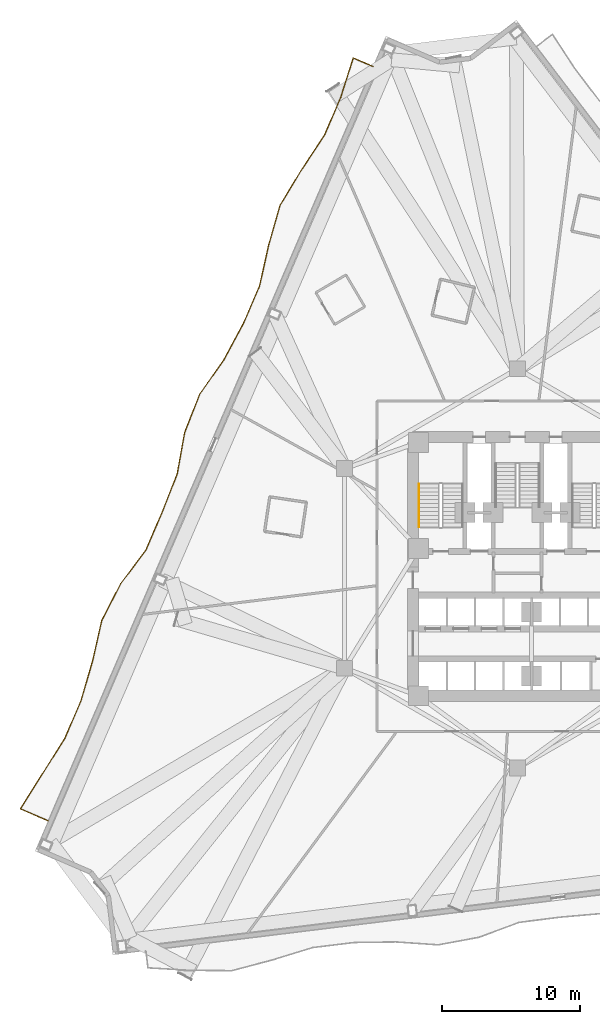
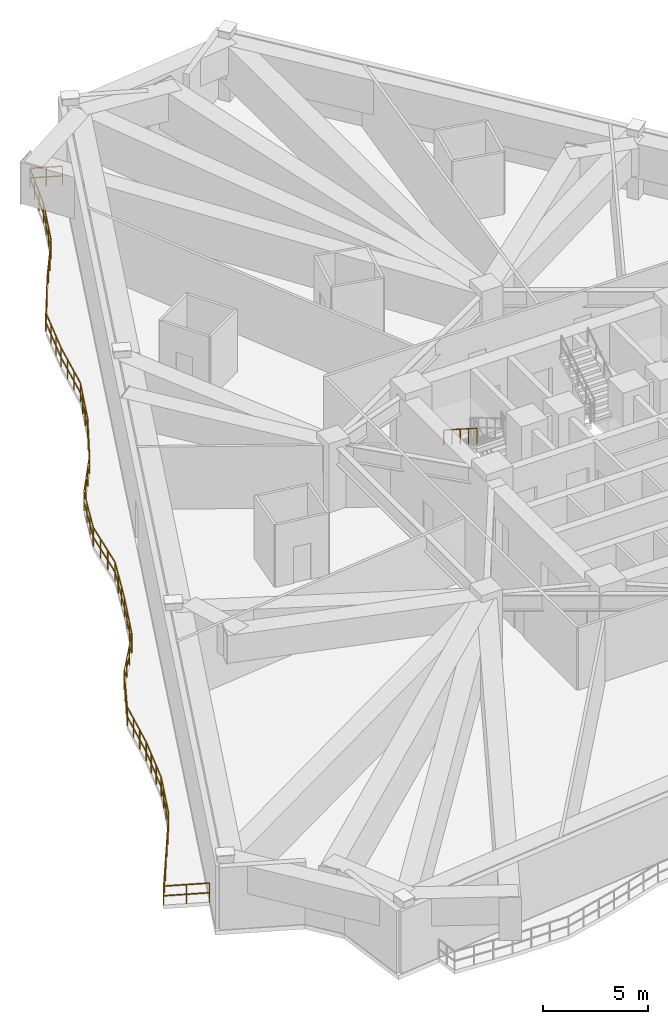
# One storey, part 12 of 14: 2 railings.
"""IFC4 building model written with IfcOpenShell, lengths in metres."""

from ifc_helpers import new_model, si_unit, direction, frame, origin, origin_2d, place, context, subcontext, project, spatial, rectangle, extrude, material, type_object, element, save


model = new_model("IFC4")

# Units and contexts
model_context = context("Model", 3, precision=1e-05, world=origin(), true_north=direction((0.0, 1.0)))
body_context = subcontext(model_context, "Body", "Model", "MODEL_VIEW")
ifc_project = project(units=[si_unit("LENGTHUNIT", "METRE"), si_unit("AREAUNIT", "SQUARE_METRE"), si_unit("VOLUMEUNIT", "CUBIC_METRE"), si_unit("PLANEANGLEUNIT", "RADIAN"), si_unit("MASSUNIT", "GRAM", prefix="KILO")], contexts=[model_context])

# Site, building, storey
site_placement = place(None, origin())
site = spatial("IfcSite", under=ifc_project, at=site_placement, CompositionType="ELEMENT")
building_placement = place(site_placement, origin())
building = spatial("IfcBuilding", under=site, at=building_placement, Name="Apsidion Concourse Tower", CompositionType="ELEMENT")
storey_placement = place(building_placement, frame((0.0, 0.0, 91.0)))
storey = spatial("IfcBuildingStorey", under=building, at=storey_placement, Name="L20", CompositionType="ELEMENT", Elevation=91.0)

# Railings
ifc_material = material(Name="Brushed stainless steel 316", Category="steel")
railing_type_1 = type_object("IfcRailingType", Name="RL-BAL-1120", PredefinedType="BALUSTRADE", material=ifc_material)
railing_1_placement = place(storey_placement, frame((-34.10107421875, -18.32958984375, 0.0)))
element("IfcRailing", 1, at=railing_1_placement, inside=storey, type_object=railing_type_1, Name="L20 Face 1 Rippling Balcony Balustrade", PredefinedType="BALUSTRADE", context=body_context, shape_type="SweptSolid", body=[
    extrude(rectangle(XDim=0.048095703125, YDim=0.048095703125, at=origin_2d()), frame((0.0, 0.0, 1.09619140625), z_axis=(-0.918533861173, 0.395342314809, 0.0), x_axis=(-0.395342314809, -0.918533861173, 0.0)), (0.0, 0.0, 1.0), 2.194091796875),
    extrude(rectangle(XDim=0.048095703125, YDim=0.048095703125, at=origin_2d()), frame((0.0, 0.0, 0.5361328125), z_axis=(-0.918533861173, 0.395342314809, 0.0), x_axis=(-0.395342314809, -0.918533861173, 0.0)), (0.0, 0.0, 1.0), 2.194091796875),
    extrude(rectangle(XDim=0.048095703125, YDim=0.048095703125, at=origin_2d()), frame((-2.015380859375, 0.867431640625, 1.09619140625), z_axis=(0.534619328688, 0.84509299689, 0.0), x_axis=(-0.84509299689, 0.534619328688, 0.0)), (0.0, 0.0, 1.0), 3.020263671875),
    extrude(rectangle(XDim=0.048095703125, YDim=0.048095703125, at=origin_2d()), frame((-2.015380859375, 0.867431640625, 0.5361328125), z_axis=(0.534619328688, 0.84509299689, 0.0), x_axis=(-0.84509299689, 0.534619328688, 0.0)), (0.0, 0.0, 1.0), 3.020263671875),
    extrude(rectangle(XDim=0.048095703125, YDim=0.048095703125, at=origin_2d()), frame((-0.400634765625, 3.419921875, 1.09619140625), z_axis=(0.53364924149, 0.845705910502, 0.0), x_axis=(-0.845705910502, 0.53364924149, 0.0)), (0.0, 0.0, 1.0), 3.02001953125),
    extrude(rectangle(XDim=0.048095703125, YDim=0.048095703125, at=origin_2d()), frame((-0.400634765625, 3.419921875, 0.5361328125), z_axis=(0.53364924149, 0.845705910502, 0.0), x_axis=(-0.845705910502, 0.53364924149, 0.0)), (0.0, 0.0, 1.0), 3.02001953125),
    extrude(rectangle(XDim=0.048095703125, YDim=0.048095703125, at=origin_2d()), frame((1.2109375, 5.973876953125, 1.09619140625), z_axis=(0.395410399338, 0.918504554205, 0.0), x_axis=(-0.918504554205, 0.395410399338, 0.0)), (0.0, 0.0, 1.0), 2.98291015625),
    extrude(rectangle(XDim=0.048095703125, YDim=0.048095703125, at=origin_2d()), frame((1.2109375, 5.973876953125, 0.5361328125), z_axis=(0.395410399338, 0.918504554205, 0.0), x_axis=(-0.918504554205, 0.395410399338, 0.0)), (0.0, 0.0, 1.0), 2.98291015625),
    extrude(rectangle(XDim=0.048095703125, YDim=0.048095703125, at=origin_2d()), frame((2.390380859375, 8.713623046875, 1.09619140625), z_axis=(0.279491563876, 0.960148147799, 0.0), x_axis=(-0.960148147799, 0.279491563876, 0.0)), (0.0, 0.0, 1.0), 3.005859375),
    extrude(rectangle(XDim=0.048095703125, YDim=0.048095703125, at=origin_2d()), frame((2.390380859375, 8.713623046875, 0.5361328125), z_axis=(0.279491563876, 0.960148147799, 0.0), x_axis=(-0.960148147799, 0.279491563876, 0.0)), (0.0, 0.0, 1.0), 3.005859375),
    extrude(rectangle(XDim=0.048095703125, YDim=0.048095703125, at=origin_2d()), frame((3.23046875, 11.599609375, 1.09619140625), z_axis=(0.221384575594, 0.975186581988, 0.0), x_axis=(-0.975186581988, 0.221384575594, 0.0)), (0.0, 0.0, 1.0), 3.03369140625),
    extrude(rectangle(XDim=0.048095703125, YDim=0.048095703125, at=origin_2d()), frame((3.23046875, 11.599609375, 0.5361328125), z_axis=(0.221384575594, 0.975186581988, 0.0), x_axis=(-0.975186581988, 0.221384575594, 0.0)), (0.0, 0.0, 1.0), 3.03369140625),
    extrude(rectangle(XDim=0.048095703125, YDim=0.048095703125, at=origin_2d()), frame((3.902099609375, 14.55810546875, 1.09619140625), z_axis=(0.458316345282, 0.888789135649, 0.0), x_axis=(-0.888789135649, 0.458316345282, 0.0)), (0.0, 0.0, 1.0), 2.989990234375),
    extrude(rectangle(XDim=0.048095703125, YDim=0.048095703125, at=origin_2d()), frame((3.902099609375, 14.55810546875, 0.5361328125), z_axis=(0.458316345282, 0.888789135649, 0.0), x_axis=(-0.888789135649, 0.458316345282, 0.0)), (0.0, 0.0, 1.0), 2.989990234375),
    extrude(rectangle(XDim=0.048095703125, YDim=0.048095703125, at=origin_2d()), frame((5.2724609375, 17.215576171875, 1.09619140625), z_axis=(0.598534495347, 0.801097033998, 0.0), x_axis=(-0.801097033998, 0.598534495347, 0.0)), (0.0, 0.0, 1.0), 3.0673828125),
    extrude(rectangle(XDim=0.048095703125, YDim=0.048095703125, at=origin_2d()), frame((5.2724609375, 17.215576171875, 0.5361328125), z_axis=(0.598534495347, 0.801097033998, 0.0), x_axis=(-0.801097033998, 0.598534495347, 0.0)), (0.0, 0.0, 1.0), 3.0673828125),
    extrude(rectangle(XDim=0.048095703125, YDim=0.048095703125, at=origin_2d()), frame((7.1083984375, 19.6728515625, 1.09619140625), z_axis=(0.395410399338, 0.918504554205, 0.0), x_axis=(-0.918504554205, 0.395410399338, 0.0)), (0.0, 0.0, 1.0), 2.98291015625),
    extrude(rectangle(XDim=0.048095703125, YDim=0.048095703125, at=origin_2d()), frame((7.1083984375, 19.6728515625, 0.5361328125), z_axis=(0.395410399338, 0.918504554205, 0.0), x_axis=(-0.918504554205, 0.395410399338, 0.0)), (0.0, 0.0, 1.0), 2.98291015625),
    extrude(rectangle(XDim=0.048095703125, YDim=0.048095703125, at=origin_2d()), frame((8.287841796875, 22.41259765625, 1.09619140625), z_axis=(0.36555873131, 0.930788275583, 0.0), x_axis=(-0.930788275583, 0.36555873131, 0.0)), (0.0, 0.0, 1.0), 2.984619140625),
    extrude(rectangle(XDim=0.048095703125, YDim=0.048095703125, at=origin_2d()), frame((8.287841796875, 22.41259765625, 0.5361328125), z_axis=(0.36555873131, 0.930788275583, 0.0), x_axis=(-0.930788275583, 0.36555873131, 0.0)), (0.0, 0.0, 1.0), 2.984619140625),
    extrude(rectangle(XDim=0.048095703125, YDim=0.048095703125, at=origin_2d()), frame((9.37890625, 25.190673828125, 1.09619140625), z_axis=(0.177299712812, 0.984156904074, 0.0), x_axis=(-0.984156904074, 0.177299712812, 0.0)), (0.0, 0.0, 1.0), 3.0625),
    extrude(rectangle(XDim=0.048095703125, YDim=0.048095703125, at=origin_2d()), frame((9.37890625, 25.190673828125, 0.5361328125), z_axis=(0.177299712812, 0.984156904074, 0.0), x_axis=(-0.984156904074, 0.177299712812, 0.0)), (0.0, 0.0, 1.0), 3.0625),
    extrude(rectangle(XDim=0.048095703125, YDim=0.048095703125, at=origin_2d()), frame((9.921875, 28.20458984375, 1.09619140625), z_axis=(0.365925711788, 0.930644063782, 0.0), x_axis=(-0.930644063782, 0.365925711788, 0.0)), (0.0, 0.0, 1.0), 2.984375),
    extrude(rectangle(XDim=0.048095703125, YDim=0.048095703125, at=origin_2d()), frame((9.921875, 28.20458984375, 0.5361328125), z_axis=(0.365925711788, 0.930644063782, 0.0), x_axis=(-0.930644063782, 0.365925711788, 0.0)), (0.0, 0.0, 1.0), 2.984375),
    extrude(rectangle(XDim=0.048095703125, YDim=0.048095703125, at=origin_2d()), frame((11.013916015625, 30.98193359375, 1.09619140625), z_axis=(0.573876412975, 0.818941916519, 0.0), x_axis=(-0.818941916519, 0.573876412975, 0.0)), (0.0, 0.0, 1.0), 3.04638671875),
    extrude(rectangle(XDim=0.048095703125, YDim=0.048095703125, at=origin_2d()), frame((11.013916015625, 30.98193359375, 0.5361328125), z_axis=(0.573876412975, 0.818941916519, 0.0), x_axis=(-0.818941916519, 0.573876412975, 0.0)), (0.0, 0.0, 1.0), 3.04638671875),
    extrude(rectangle(XDim=0.048095703125, YDim=0.048095703125, at=origin_2d()), frame((12.76220703125, 33.476806640625, 1.09619140625), z_axis=(0.475198145965, 0.879878811014, 0.0), x_axis=(-0.879878811014, 0.475198145965, 0.0)), (0.0, 0.0, 1.0), 2.99462890625),
    extrude(rectangle(XDim=0.048095703125, YDim=0.048095703125, at=origin_2d()), frame((12.76220703125, 33.476806640625, 0.5361328125), z_axis=(0.475198145965, 0.879878811014, 0.0), x_axis=(-0.879878811014, 0.475198145965, 0.0)), (0.0, 0.0, 1.0), 2.99462890625),
    extrude(rectangle(XDim=0.048095703125, YDim=0.048095703125, at=origin_2d()), frame((14.185302734375, 36.11181640625, 1.09619140625), z_axis=(0.395449720063, 0.918487625884, 0.0), x_axis=(-0.918487625884, 0.395449720063, 0.0)), (0.0, 0.0, 1.0), 2.983154296875),
    extrude(rectangle(XDim=0.048095703125, YDim=0.048095703125, at=origin_2d()), frame((14.185302734375, 36.11181640625, 0.5361328125), z_axis=(0.395449720063, 0.918487625884, 0.0), x_axis=(-0.918487625884, 0.395449720063, 0.0)), (0.0, 0.0, 1.0), 2.983154296875),
    extrude(rectangle(XDim=0.048095703125, YDim=0.048095703125, at=origin_2d()), frame((15.364990234375, 38.851806640625, 1.09619140625), z_axis=(0.216360044124, 0.976313643921, 0.0), x_axis=(-0.976313643921, 0.216360044124, 0.0)), (0.0, 0.0, 1.0), 3.03662109375),
    extrude(rectangle(XDim=0.048095703125, YDim=0.048095703125, at=origin_2d()), frame((15.364990234375, 38.851806640625, 0.5361328125), z_axis=(0.216360044124, 0.976313643921, 0.0), x_axis=(-0.976313643921, 0.216360044124, 0.0)), (0.0, 0.0, 1.0), 3.03662109375),
    extrude(rectangle(XDim=0.048095703125, YDim=0.048095703125, at=origin_2d()), frame((16.02197265625, 41.81640625, 1.09619140625), z_axis=(0.275879015723, 0.961192368199, 0.0), x_axis=(-0.961192368199, 0.275879015723, 0.0)), (0.0, 0.0, 1.0), 3.007080078125),
    extrude(rectangle(XDim=0.048095703125, YDim=0.048095703125, at=origin_2d()), frame((16.02197265625, 41.81640625, 0.5361328125), z_axis=(0.275879015723, 0.961192368199, 0.0), x_axis=(-0.961192368199, 0.275879015723, 0.0)), (0.0, 0.0, 1.0), 3.007080078125),
    extrude(rectangle(XDim=0.048095703125, YDim=0.048095703125, at=origin_2d()), frame((16.8515625, 44.706787109375, 1.09619140625), z_axis=(0.517663698647, 0.855584183528, 0.0), x_axis=(-0.855584183528, 0.517663698647, 0.0)), (0.0, 0.0, 1.0), 3.01123046875),
    extrude(rectangle(XDim=0.048095703125, YDim=0.048095703125, at=origin_2d()), frame((16.8515625, 44.706787109375, 0.5361328125), z_axis=(0.517663698647, 0.855584183528, 0.0), x_axis=(-0.855584183528, 0.517663698647, 0.0)), (0.0, 0.0, 1.0), 3.01123046875),
    extrude(rectangle(XDim=0.048095703125, YDim=0.048095703125, at=origin_2d()), frame((18.410400390625, 47.283203125, 1.09619140625), z_axis=(0.551796872766, 0.833978543612, 0.0), x_axis=(-0.833978543612, 0.551796872766, 0.0)), (0.0, 0.0, 1.0), 3.03076171875),
    extrude(rectangle(XDim=0.048095703125, YDim=0.048095703125, at=origin_2d()), frame((18.410400390625, 47.283203125, 0.5361328125), z_axis=(0.551796872766, 0.833978543612, 0.0), x_axis=(-0.833978543612, 0.551796872766, 0.0)), (0.0, 0.0, 1.0), 3.03076171875),
    extrude(rectangle(XDim=0.048095703125, YDim=0.048095703125, at=origin_2d()), frame((20.082763671875, 49.810791015625, 1.09619140625), z_axis=(0.395449720063, 0.918487625884, 0.0), x_axis=(-0.918487625884, 0.395449720063, 0.0)), (0.0, 0.0, 1.0), 2.983154296875),
    extrude(rectangle(XDim=0.048095703125, YDim=0.048095703125, at=origin_2d()), frame((20.082763671875, 49.810791015625, 0.5361328125), z_axis=(0.395449720063, 0.918487625884, 0.0), x_axis=(-0.918487625884, 0.395449720063, 0.0)), (0.0, 0.0, 1.0), 2.983154296875),
    extrude(rectangle(XDim=0.048095703125, YDim=0.048095703125, at=origin_2d()), frame((21.262451171875, 52.55078125, 1.09619140625), z_axis=(0.301482124278, 0.953471829023, 0.0), x_axis=(-0.953471829023, 0.301482124278, 0.0)), (0.0, 0.0, 1.0), 2.997802734375),
    extrude(rectangle(XDim=0.048095703125, YDim=0.048095703125, at=origin_2d()), frame((21.262451171875, 52.55078125, 0.5361328125), z_axis=(0.301482124278, 0.953471829023, 0.0), x_axis=(-0.953471829023, 0.301482124278, 0.0)), (0.0, 0.0, 1.0), 2.997802734375),
    extrude(rectangle(XDim=0.048095703125, YDim=0.048095703125, at=origin_2d()), frame((22.166259765625, 55.4091796875, 1.09619140625), z_axis=(0.918541108117, -0.395325476916, 0.0), x_axis=(0.395325476916, 0.918541108117, 0.0)), (0.0, 0.0, 1.0), 1.550048828125),
    extrude(rectangle(XDim=0.048095703125, YDim=0.048095703125, at=origin_2d()), frame((22.166259765625, 55.4091796875, 0.5361328125), z_axis=(0.918541108117, -0.395325476916, 0.0), x_axis=(0.395325476916, 0.918541108117, 0.0)), (0.0, 0.0, 1.0), 1.550048828125),
    extrude(rectangle(XDim=0.0419921875, YDim=0.0419921875, at=origin_2d()), origin(), (0.0, 0.0, 1.0), 1.072021484375),
    extrude(rectangle(XDim=0.0419921875, YDim=0.0419921875, at=origin_2d()), frame((-1.0078125, 0.43359375, 0.0)), (0.0, 0.0, 1.0), 1.072021484375),
    extrude(rectangle(XDim=0.0419921875, YDim=0.0419921875, at=origin_2d()), frame((-2.015380859375, 0.867431640625, 0.0)), (0.0, 0.0, 1.0), 1.072021484375),
    extrude(rectangle(XDim=0.0419921875, YDim=0.0419921875, at=origin_2d()), frame((-1.47705078125, 1.71826171875, 0.0)), (0.0, 0.0, 1.0), 1.072021484375),
    extrude(rectangle(XDim=0.0419921875, YDim=0.0419921875, at=origin_2d()), frame((-0.93896484375, 2.569091796875, 0.0)), (0.0, 0.0, 1.0), 1.072021484375),
    extrude(rectangle(XDim=0.0419921875, YDim=0.0419921875, at=origin_2d()), frame((-0.400634765625, 3.419921875, 0.0)), (0.0, 0.0, 1.0), 1.072021484375),
    extrude(rectangle(XDim=0.0419921875, YDim=0.0419921875, at=origin_2d()), frame((0.136474609375, 4.271240234375, 0.0)), (0.0, 0.0, 1.0), 1.072021484375),
    extrude(rectangle(XDim=0.0419921875, YDim=0.0419921875, at=origin_2d()), frame((0.673828125, 5.12255859375, 0.0)), (0.0, 0.0, 1.0), 1.072021484375),
    extrude(rectangle(XDim=0.0419921875, YDim=0.0419921875, at=origin_2d()), frame((1.2109375, 5.973876953125, 0.0)), (0.0, 0.0, 1.0), 1.072021484375),
    extrude(rectangle(XDim=0.0419921875, YDim=0.0419921875, at=origin_2d()), frame((1.60400390625, 6.88720703125, 0.0)), (0.0, 0.0, 1.0), 1.072021484375),
    extrude(rectangle(XDim=0.0419921875, YDim=0.0419921875, at=origin_2d()), frame((1.997314453125, 7.80029296875, 0.0)), (0.0, 0.0, 1.0), 1.072021484375),
    extrude(rectangle(XDim=0.0419921875, YDim=0.0419921875, at=origin_2d()), frame((2.390380859375, 8.713623046875, 0.0)), (0.0, 0.0, 1.0), 1.072021484375),
    extrude(rectangle(XDim=0.0419921875, YDim=0.0419921875, at=origin_2d()), frame((2.67041015625, 9.675537109375, 0.0)), (0.0, 0.0, 1.0), 1.072021484375),
    extrude(rectangle(XDim=0.0419921875, YDim=0.0419921875, at=origin_2d()), frame((2.950439453125, 10.6376953125, 0.0)), (0.0, 0.0, 1.0), 1.072021484375),
    extrude(rectangle(XDim=0.0419921875, YDim=0.0419921875, at=origin_2d()), frame((3.23046875, 11.599609375, 0.0)), (0.0, 0.0, 1.0), 1.072021484375),
    extrude(rectangle(XDim=0.0419921875, YDim=0.0419921875, at=origin_2d()), frame((3.454345703125, 12.585693359375, 0.0)), (0.0, 0.0, 1.0), 1.072021484375),
    extrude(rectangle(XDim=0.0419921875, YDim=0.0419921875, at=origin_2d()), frame((3.67822265625, 13.572021484375, 0.0)), (0.0, 0.0, 1.0), 1.072021484375),
    extrude(rectangle(XDim=0.0419921875, YDim=0.0419921875, at=origin_2d()), frame((3.902099609375, 14.55810546875, 0.0)), (0.0, 0.0, 1.0), 1.072021484375),
    extrude(rectangle(XDim=0.0419921875, YDim=0.0419921875, at=origin_2d()), frame((4.35888671875, 15.44384765625, 0.0)), (0.0, 0.0, 1.0), 1.072021484375),
    extrude(rectangle(XDim=0.0419921875, YDim=0.0419921875, at=origin_2d()), frame((4.815673828125, 16.329833984375, 0.0)), (0.0, 0.0, 1.0), 1.072021484375),
    extrude(rectangle(XDim=0.0419921875, YDim=0.0419921875, at=origin_2d()), frame((5.2724609375, 17.215576171875, 0.0)), (0.0, 0.0, 1.0), 1.072021484375),
    extrude(rectangle(XDim=0.0419921875, YDim=0.0419921875, at=origin_2d()), frame((5.884521484375, 18.03466796875, 0.0)), (0.0, 0.0, 1.0), 1.072021484375),
    extrude(rectangle(XDim=0.0419921875, YDim=0.0419921875, at=origin_2d()), frame((6.496337890625, 18.853759765625, 0.0)), (0.0, 0.0, 1.0), 1.072021484375),
    extrude(rectangle(XDim=0.0419921875, YDim=0.0419921875, at=origin_2d()), frame((7.1083984375, 19.6728515625, 0.0)), (0.0, 0.0, 1.0), 1.072021484375),
    extrude(rectangle(XDim=0.0419921875, YDim=0.0419921875, at=origin_2d()), frame((7.50146484375, 20.586181640625, 0.0)), (0.0, 0.0, 1.0), 1.072021484375),
    extrude(rectangle(XDim=0.0419921875, YDim=0.0419921875, at=origin_2d()), frame((7.894775390625, 21.499267578125, 0.0)), (0.0, 0.0, 1.0), 1.072021484375),
    extrude(rectangle(XDim=0.0419921875, YDim=0.0419921875, at=origin_2d()), frame((8.287841796875, 22.41259765625, 0.0)), (0.0, 0.0, 1.0), 1.072021484375),
    extrude(rectangle(XDim=0.0419921875, YDim=0.0419921875, at=origin_2d()), frame((8.651611328125, 23.338623046875, 0.0)), (0.0, 0.0, 1.0), 1.072021484375),
    extrude(rectangle(XDim=0.0419921875, YDim=0.0419921875, at=origin_2d()), frame((9.01513671875, 24.2646484375, 0.0)), (0.0, 0.0, 1.0), 1.072021484375),
    extrude(rectangle(XDim=0.0419921875, YDim=0.0419921875, at=origin_2d()), frame((9.37890625, 25.190673828125, 0.0)), (0.0, 0.0, 1.0), 1.072021484375),
    extrude(rectangle(XDim=0.0419921875, YDim=0.0419921875, at=origin_2d()), frame((9.559814453125, 26.1953125, 0.0)), (0.0, 0.0, 1.0), 1.072021484375),
    extrude(rectangle(XDim=0.0419921875, YDim=0.0419921875, at=origin_2d()), frame((9.740966796875, 27.199951171875, 0.0)), (0.0, 0.0, 1.0), 1.072021484375),
    extrude(rectangle(XDim=0.0419921875, YDim=0.0419921875, at=origin_2d()), frame((9.921875, 28.20458984375, 0.0)), (0.0, 0.0, 1.0), 1.072021484375),
    extrude(rectangle(XDim=0.0419921875, YDim=0.0419921875, at=origin_2d()), frame((10.285888671875, 29.13037109375, 0.0)), (0.0, 0.0, 1.0), 1.072021484375),
    extrude(rectangle(XDim=0.0419921875, YDim=0.0419921875, at=origin_2d()), frame((10.64990234375, 30.05615234375, 0.0)), (0.0, 0.0, 1.0), 1.072021484375),
    extrude(rectangle(XDim=0.0419921875, YDim=0.0419921875, at=origin_2d()), frame((11.013916015625, 30.98193359375, 0.0)), (0.0, 0.0, 1.0), 1.072021484375),
    extrude(rectangle(XDim=0.0419921875, YDim=0.0419921875, at=origin_2d()), frame((11.5966796875, 31.8134765625, 0.0)), (0.0, 0.0, 1.0), 1.072021484375),
    extrude(rectangle(XDim=0.0419921875, YDim=0.0419921875, at=origin_2d()), frame((12.179443359375, 32.645263671875, 0.0)), (0.0, 0.0, 1.0), 1.072021484375),
    extrude(rectangle(XDim=0.0419921875, YDim=0.0419921875, at=origin_2d()), frame((12.76220703125, 33.476806640625, 0.0)), (0.0, 0.0, 1.0), 1.072021484375),
    extrude(rectangle(XDim=0.0419921875, YDim=0.0419921875, at=origin_2d()), frame((13.236572265625, 34.355224609375, 0.0)), (0.0, 0.0, 1.0), 1.072021484375),
    extrude(rectangle(XDim=0.0419921875, YDim=0.0419921875, at=origin_2d()), frame((13.7109375, 35.2333984375, 0.0)), (0.0, 0.0, 1.0), 1.072021484375),
    extrude(rectangle(XDim=0.0419921875, YDim=0.0419921875, at=origin_2d()), frame((14.185302734375, 36.11181640625, 0.0)), (0.0, 0.0, 1.0), 1.072021484375),
    extrude(rectangle(XDim=0.0419921875, YDim=0.0419921875, at=origin_2d()), frame((14.57861328125, 37.025146484375, 0.0)), (0.0, 0.0, 1.0), 1.072021484375),
    extrude(rectangle(XDim=0.0419921875, YDim=0.0419921875, at=origin_2d()), frame((14.9716796875, 37.9384765625, 0.0)), (0.0, 0.0, 1.0), 1.072021484375),
    extrude(rectangle(XDim=0.0419921875, YDim=0.0419921875, at=origin_2d()), frame((15.364990234375, 38.851806640625, 0.0)), (0.0, 0.0, 1.0), 1.072021484375),
    extrude(rectangle(XDim=0.0419921875, YDim=0.0419921875, at=origin_2d()), frame((15.583984375, 39.840087890625, 0.0)), (0.0, 0.0, 1.0), 1.072021484375),
    extrude(rectangle(XDim=0.0419921875, YDim=0.0419921875, at=origin_2d()), frame((15.802978515625, 40.828125, 0.0)), (0.0, 0.0, 1.0), 1.072021484375),
    extrude(rectangle(XDim=0.0419921875, YDim=0.0419921875, at=origin_2d()), frame((16.02197265625, 41.81640625, 0.0)), (0.0, 0.0, 1.0), 1.072021484375),
    extrude(rectangle(XDim=0.0419921875, YDim=0.0419921875, at=origin_2d()), frame((16.298583984375, 42.77978515625, 0.0)), (0.0, 0.0, 1.0), 1.072021484375),
    extrude(rectangle(XDim=0.0419921875, YDim=0.0419921875, at=origin_2d()), frame((16.574951171875, 43.743408203125, 0.0)), (0.0, 0.0, 1.0), 1.072021484375),
    extrude(rectangle(XDim=0.0419921875, YDim=0.0419921875, at=origin_2d()), frame((16.8515625, 44.706787109375, 0.0)), (0.0, 0.0, 1.0), 1.072021484375),
    extrude(rectangle(XDim=0.0419921875, YDim=0.0419921875, at=origin_2d()), frame((17.37109375, 45.565673828125, 0.0)), (0.0, 0.0, 1.0), 1.072021484375),
    extrude(rectangle(XDim=0.0419921875, YDim=0.0419921875, at=origin_2d()), frame((17.890869140625, 46.42431640625, 0.0)), (0.0, 0.0, 1.0), 1.072021484375),
    extrude(rectangle(XDim=0.0419921875, YDim=0.0419921875, at=origin_2d()), frame((18.410400390625, 47.283203125, 0.0)), (0.0, 0.0, 1.0), 1.072021484375),
    extrude(rectangle(XDim=0.0419921875, YDim=0.0419921875, at=origin_2d()), frame((18.9677734375, 48.125732421875, 0.0)), (0.0, 0.0, 1.0), 1.072021484375),
    extrude(rectangle(XDim=0.0419921875, YDim=0.0419921875, at=origin_2d()), frame((19.525390625, 48.96826171875, 0.0)), (0.0, 0.0, 1.0), 1.072021484375),
    extrude(rectangle(XDim=0.0419921875, YDim=0.0419921875, at=origin_2d()), frame((20.082763671875, 49.810791015625, 0.0)), (0.0, 0.0, 1.0), 1.072021484375),
    extrude(rectangle(XDim=0.0419921875, YDim=0.0419921875, at=origin_2d()), frame((20.47607421875, 50.72412109375, 0.0)), (0.0, 0.0, 1.0), 1.072021484375),
    extrude(rectangle(XDim=0.0419921875, YDim=0.0419921875, at=origin_2d()), frame((20.869140625, 51.637451171875, 0.0)), (0.0, 0.0, 1.0), 1.072021484375),
    extrude(rectangle(XDim=0.0419921875, YDim=0.0419921875, at=origin_2d()), frame((21.262451171875, 52.55078125, 0.0)), (0.0, 0.0, 1.0), 1.072021484375),
    extrude(rectangle(XDim=0.0419921875, YDim=0.0419921875, at=origin_2d()), frame((21.563720703125, 53.503662109375, 0.0)), (0.0, 0.0, 1.0), 1.072021484375),
    extrude(rectangle(XDim=0.0419921875, YDim=0.0419921875, at=origin_2d()), frame((21.864990234375, 54.456298828125, 0.0)), (0.0, 0.0, 1.0), 1.072021484375),
    extrude(rectangle(XDim=0.0419921875, YDim=0.0419921875, at=origin_2d()), frame((22.166259765625, 55.4091796875, 0.0)), (0.0, 0.0, 1.0), 1.072021484375),
    extrude(rectangle(XDim=0.0419921875, YDim=0.0419921875, at=origin_2d()), frame((22.878173828125, 55.102783203125, 0.0)), (0.0, 0.0, 1.0), 1.072021484375),
    extrude(rectangle(XDim=0.0419921875, YDim=0.0419921875, at=origin_2d()), frame((23.590087890625, 54.79638671875, 0.0)), (0.0, 0.0, 1.0), 1.072021484375),
])
railing_type_2 = type_object("IfcRailingType", Name="RL-HAND-900", PredefinedType="HANDRAIL", material=ifc_material)
railing_2_placement = place(storey_placement, frame((-7.14990234375, 6.135009765625, 2.166748046875)))
element("IfcRailing", 2, at=railing_2_placement, inside=storey, type_object=railing_type_2, Name="L20 ST1 stair handrail 2", PredefinedType="HANDRAIL", context=body_context, shape_type="SweptSolid", body=[
    extrude(rectangle(XDim=0.048095703125, YDim=0.048095703125, at=origin_2d()), frame((0.0, 0.0, 0.8759765625), z_axis=(0.0, -0.843052688722, 0.537830980921), x_axis=(1.0, 0.0, 0.0)), (0.0, 0.0, 1.0), 3.71875),
    extrude(rectangle(XDim=0.0419921875, YDim=0.0419921875, at=origin_2d()), origin(), (0.0, 0.0, 1.0), 0.851806640625),
    extrude(rectangle(XDim=0.0419921875, YDim=0.0419921875, at=origin_2d()), frame((0.0, -0.78369140625, 0.5)), (0.0, 0.0, 1.0), 0.851806640625),
    extrude(rectangle(XDim=0.0419921875, YDim=0.0419921875, at=origin_2d()), frame((0.0, -1.5673828125, 1.0)), (0.0, 0.0, 1.0), 0.851806640625),
    extrude(rectangle(XDim=0.0419921875, YDim=0.0419921875, at=origin_2d()), frame((0.0, -2.351318359375, 1.5)), (0.0, 0.0, 1.0), 0.851806640625),
    extrude(rectangle(XDim=0.0419921875, YDim=0.0419921875, at=origin_2d()), frame((0.0, -3.135009765625, 2.0)), (0.0, 0.0, 1.0), 0.851806640625),
])

save(model, "model.ifc")
